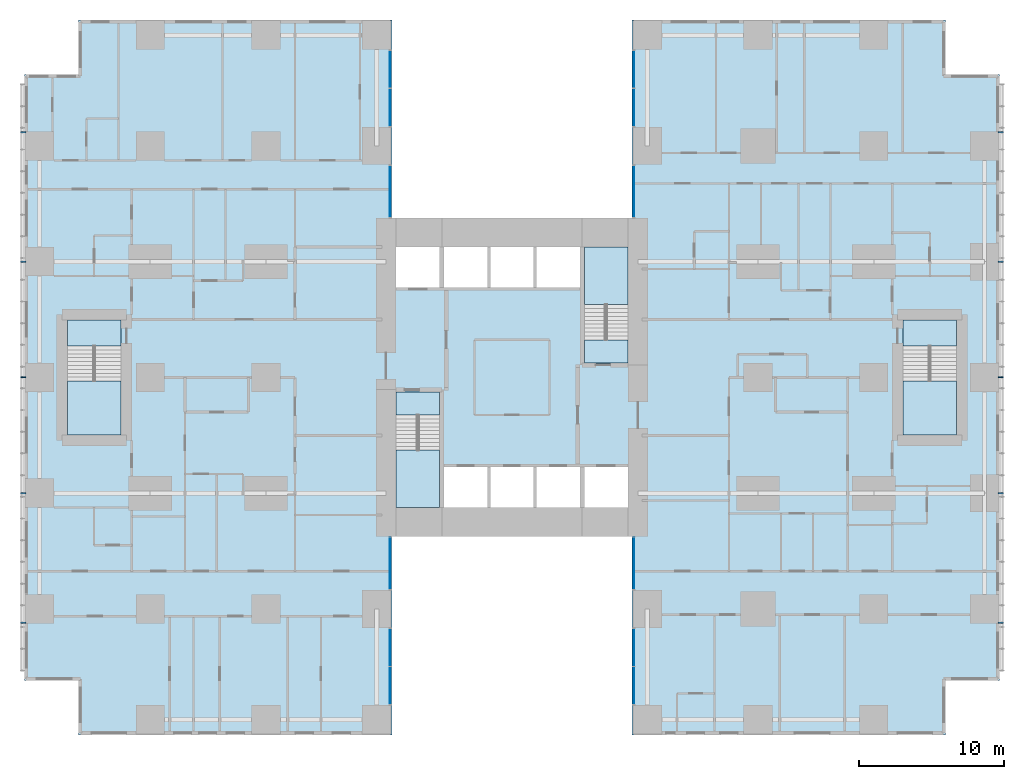
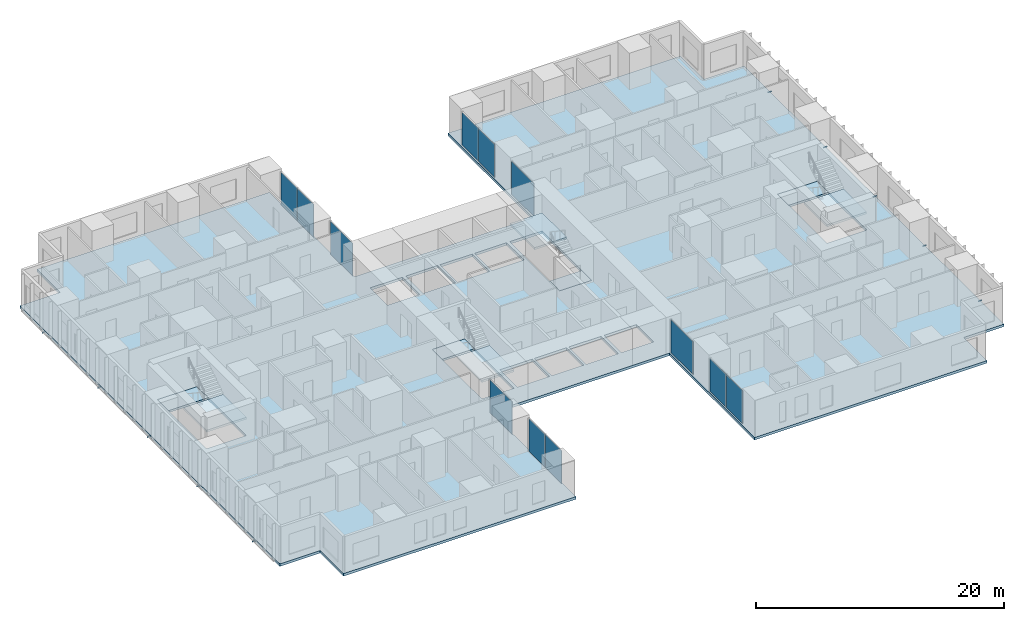
# One storey, part 7 of 20: 12 plates, 10 members, 9 slabs, 12 elements without a shape of their own.
"""IFC4 building model written with IfcOpenShell, lengths in metres."""

import ifcopenshell
import ifcopenshell.guid

model = None  # the IFC model being written
_history = None  # IfcOwnerHistory: only IFC2X3 demands one
_inside = {}  # id of a spatial element -> (the spatial element, [elements in it])
_under = {}  # id of a project, library or spatial element -> (it, [spatial elements below it])
_declared = {}  # id of a project -> (the project, [libraries it declares])
_typed = {}  # id of a type object -> (the type object, [elements of that type])
_made_of = {}  # id of a material, layer set ... -> (it, [elements and type objects made of it])


def new_model(schema):
    """Start an empty IFC model of exactly this schema.

    Asked for "IFC4X3", IfcOpenShell would pick the latest addendum, in which some entities
    have other attributes; the version numbers below select the first issue.
    IFC2X3 requires an IfcOwnerHistory on every rooted entity: one is made here for all.
    """
    global model, _history
    if schema == "IFC4X3":
        model = ifcopenshell.file(schema_version=(4, 3, 0, 0))
    else:
        model = ifcopenshell.file(schema=schema)
    _inside.clear()
    _under.clear()
    _declared.clear()
    _typed.clear()
    _made_of.clear()
    _history = None
    if model.schema == "IFC2X3":
        org = make("IfcOrganization", Name="unknown")
        user = make(
            "IfcPersonAndOrganization",
            ThePerson=make("IfcPerson", FamilyName="unknown"),
            TheOrganization=org,
        )
        app = make(
            "IfcApplication",
            ApplicationDeveloper=org,
            Version="unknown",
            ApplicationFullName="unknown",
            ApplicationIdentifier="unknown",
        )
        _history = make(
            "IfcOwnerHistory",
            OwningUser=user,
            OwningApplication=app,
            ChangeAction="ADDED",
            CreationDate=0,
        )
    return model


def make(cls, **values):
    """One entity of the class cls with the attributes given. An attribute that is None is left unset."""
    return model.create_entity(
        cls, **{name: value for name, value in values.items() if value is not None}
    )


def rooted(cls, **values):
    """An entity with a GlobalId (a new one), such as an element, a storey or a relation."""
    return make(cls, GlobalId=ifcopenshell.guid.new(), OwnerHistory=_history, **values)


def si_unit(unit_type, name, prefix=None):
    """IfcSIUnit, for example si_unit("LENGTHUNIT", "METRE", prefix="MILLI")."""
    return make("IfcSIUnit", UnitType=unit_type, Prefix=prefix, Name=name)


def assignment(units):
    """IfcUnitAssignment: the units of a project."""
    return None if units is None else make("IfcUnitAssignment", Units=units)


def point(xyz):
    """IfcCartesianPoint."""
    return None if xyz is None else make("IfcCartesianPoint", Coordinates=xyz)


def direction(xyz):
    """IfcDirection."""
    return None if xyz is None else make("IfcDirection", DirectionRatios=xyz)


def frame(location, z_axis=None, x_axis=None):
    """IfcAxis2Placement3D, a coordinate frame: its origin and axes. An axis left out is left unset."""
    return make(
        "IfcAxis2Placement3D",
        Location=point(location),
        Axis=direction(z_axis),
        RefDirection=direction(x_axis),
    )


def frame_2d(location, x_axis=None):
    """IfcAxis2Placement2D, a coordinate frame in the plane: its origin and x axis."""
    return make(
        "IfcAxis2Placement2D", Location=point(location), RefDirection=direction(x_axis)
    )


def origin():
    """The frame at (0, 0, 0) with its axes left unset."""
    return frame((0.0, 0.0, 0.0))


def origin_2d():
    """The frame at (0, 0) in the plane with its x axis left unset."""
    return frame_2d((0.0, 0.0))


def place(relative_to, where):
    """IfcLocalPlacement: puts the frame where relative to a parent placement (None: the world)."""
    return make(
        "IfcLocalPlacement", PlacementRelTo=relative_to, RelativePlacement=where
    )


def context(
    kind, dimensions, precision=None, world=None, true_north=None, identifier=None
):
    """IfcGeometricRepresentationContext, for example the 3D "Model" context."""
    return make(
        "IfcGeometricRepresentationContext",
        ContextIdentifier=identifier,
        ContextType=kind,
        CoordinateSpaceDimension=dimensions,
        Precision=precision,
        WorldCoordinateSystem=world,
        TrueNorth=true_north,
    )


def subcontext(parent, identifier, kind, view, scale=None):
    """IfcGeometricRepresentationSubContext, for example "Body" below "Model"."""
    return make(
        "IfcGeometricRepresentationSubContext",
        ContextIdentifier=identifier,
        ContextType=kind,
        ParentContext=parent,
        TargetScale=scale,
        TargetView=view,
    )


def project(units=None, contexts=None):
    """IfcProject with its units and contexts."""
    return rooted(
        "IfcProject",
        Name="project",
        RepresentationContexts=contexts,
        UnitsInContext=assignment(units),
    )


def spatial(cls, under=None, at=None, **own):
    """A site, building, storey or space (cls), placed at a placement, below another one or the project."""
    s = rooted(cls, ObjectPlacement=at, **own)
    if under is not None:
        _under.setdefault(under.id(), (under, []))[1].append(s)
    return s


def polyline(points):
    """IfcPolyline through the points."""
    return make("IfcPolyline", Points=[point(p) for p in points])


def profile(cls, at=None, kind="AREA", **sizes):
    """A parametric profile (cls). Its sizes go by their IFC names, for example OverallWidth=200.0."""
    return make(cls, ProfileType=kind, Position=at, **sizes)


def rectangle(**sizes):
    """IfcRectangleProfileDef."""
    return profile("IfcRectangleProfileDef", **sizes)


def hollow_rectangle(**sizes):
    """IfcRectangleHollowProfileDef."""
    return profile("IfcRectangleHollowProfileDef", **sizes)


def outline(outer, holes=None, kind="AREA"):
    """IfcArbitraryClosedProfileDef: a profile drawn as a closed curve; with holes, ...WithVoids."""
    if holes is None:
        return make("IfcArbitraryClosedProfileDef", ProfileType=kind, OuterCurve=outer)
    return make(
        "IfcArbitraryProfileDefWithVoids",
        ProfileType=kind,
        OuterCurve=outer,
        InnerCurves=holes,
    )


def extrude(swept, where, along, depth):
    """IfcExtrudedAreaSolid: the profile swept, set in the frame where, extruded along a direction by depth."""
    return make(
        "IfcExtrudedAreaSolid",
        SweptArea=swept,
        Position=where,
        ExtrudedDirection=direction(along),
        Depth=depth,
    )


def shape(context_of_items, identifier, shape_type, items):
    """IfcShapeRepresentation: the items that make up one representation, for example the "Body"."""
    return make(
        "IfcShapeRepresentation",
        ContextOfItems=context_of_items,
        RepresentationIdentifier=identifier,
        RepresentationType=shape_type,
        Items=items,
    )


def material(Name=None, Category=None):
    """IfcMaterial."""
    return make("IfcMaterial", Name=Name, Category=Category)


def layer(
    of_material, thickness, ventilated=None, Name=None, Category=None, Priority=None
):
    """IfcMaterialLayer: one layer of a wall or slab, of a material (None: an air gap)."""
    return make(
        "IfcMaterialLayer",
        Material=of_material,
        LayerThickness=thickness,
        IsVentilated=ventilated,
        Name=Name,
        Category=Category,
        Priority=Priority,
    )


def layer_set(layers, Name=None):
    """IfcMaterialLayerSet."""
    return make("IfcMaterialLayerSet", MaterialLayers=layers, LayerSetName=Name)


def material_profile(
    of_material, cross_section, Name=None, Category=None, Priority=None
):
    """IfcMaterialProfile: a cross section and its material."""
    return make(
        "IfcMaterialProfile",
        Name=Name,
        Material=of_material,
        Profile=cross_section,
        Priority=Priority,
        Category=Category,
    )


def profile_set(profiles, Name=None, composite=None):
    """IfcMaterialProfileSet."""
    return make(
        "IfcMaterialProfileSet",
        Name=Name,
        MaterialProfiles=profiles,
        CompositeProfile=composite,
    )


def made_of(thing, what):
    """Note that an element or type object is made of a material, layer set ...; save() writes the relation."""
    if what is not None:
        _made_of.setdefault(what.id(), (what, []))[1].append(thing)
    return thing


def type_object(cls, material=None, **own):
    """A type object (cls), such as IfcWallType, which elements share."""
    return made_of(rooted(cls, **own), material)


def element(
    cls,
    number,
    at=None,
    inside=None,
    cuts=None,
    type_object=None,
    material=None,
    context=None,
    identifier="Body",
    shape_type=None,
    held_by="IfcProductDefinitionShape",
    body=None,
    shapes=None,
    **own,
):
    """One element of the class cls, such as IfcWall. Its Tag is "e" and its number.

    at: its placement. inside: the storey or other place that contains it. cuts: it is an
    opening in that element (IfcRelVoidsElement). A single representation is given by context,
    identifier, shape_type and body (its items); several are given by shapes. held_by: the class
    of the entity that holds the representations. save() writes the other relations.
    """
    e = rooted(cls, Tag="e%d" % number, ObjectPlacement=at, **own)
    if body is not None:
        shapes = [shape(context, identifier, shape_type, body)]
    if shapes is not None:
        e.Representation = make(held_by, Representations=shapes)
    if inside is not None:
        _inside.setdefault(inside.id(), (inside, []))[1].append(e)
    if cuts is not None:
        rooted(
            "IfcRelVoidsElement", RelatingBuildingElement=cuts, RelatedOpeningElement=e
        )
    if type_object is not None:
        _typed.setdefault(type_object.id(), (type_object, []))[1].append(e)
    return made_of(e, material)


def aggregate(whole, parts):
    """IfcRelAggregates: a whole, such as a stair, and the parts it consists of."""
    return rooted("IfcRelAggregates", RelatingObject=whole, RelatedObjects=parts)


def save(model, path):
    """Write the relations noted so far, then the file.

    IfcRelAggregates (storeys below a building ...), IfcRelContainedInSpatialStructure (elements
    in a storey), IfcRelDefinesByType, IfcRelAssociatesMaterial and IfcRelDeclares: one each for
    every whole, place, type object, material and project.
    """
    for whole, parts in _under.values():
        aggregate(whole, parts)
    for where, things in _inside.values():
        rooted(
            "IfcRelContainedInSpatialStructure",
            RelatedElements=things,
            RelatingStructure=where,
        )
    for kind, things in _typed.values():
        rooted("IfcRelDefinesByType", RelatedObjects=things, RelatingType=kind)
    for what, things in _made_of.values():
        rooted("IfcRelAssociatesMaterial", RelatedObjects=things, RelatingMaterial=what)
    for by, libraries in _declared.values():
        rooted("IfcRelDeclares", RelatingContext=by, RelatedDefinitions=libraries)
    model.write(path)


model = new_model("IFC4")

# Units and contexts
model_context = context("Model", 3, precision=1e-05, world=origin(), true_north=direction((0.0, 1.0)))
body_context = subcontext(model_context, "Body", "Model", "MODEL_VIEW")
ifc_project = project(units=[si_unit("LENGTHUNIT", "METRE"), si_unit("AREAUNIT", "SQUARE_METRE"), si_unit("VOLUMEUNIT", "CUBIC_METRE"), si_unit("PLANEANGLEUNIT", "RADIAN"), si_unit("MASSUNIT", "GRAM", prefix="KILO")], contexts=[model_context])

# Site, building, storey
site_placement = place(None, origin())
site = spatial("IfcSite", under=ifc_project, at=site_placement, CompositionType="ELEMENT")
building_placement = place(site_placement, origin())
building = spatial("IfcBuilding", under=site, at=building_placement, Name="Cleftline Residences", CompositionType="ELEMENT")
storey_placement = place(building_placement, frame((0.0, 0.0, 33.199951171875)))
storey = spatial("IfcBuildingStorey", under=building, at=storey_placement, Name="L07", CompositionType="ELEMENT", Elevation=33.199951171875)

# Members
ifc_material_1 = material(Name="Steel S355, hot-dip galvanised", Category="steel")
ifc_material_profile = material_profile(ifc_material_1, hollow_rectangle(XDim=0.10009765625, YDim=0.10009765625, WallThickness=0.008056640625, InnerFilletRadius=0.008056640625, OuterFilletRadius=0.011962890625, at=origin_2d()))
ifc_profile_set = profile_set([ifc_material_profile], Name="Steel S355, hot-dip galvanised")
member_type = type_object("IfcMemberType", Name="BAGUETTE BRACKET SHS 100X100X8", PredefinedType="USERDEFINED", material=ifc_profile_set)
for number, where, z_axis, x_axis, name in (
    (1, (66.60009765625, 7.050048828125, -0.14990234375), (1.0, 0.0, 0.0), (0.0, 1.0, 0.0), "Baguette bracket"),
    (2, (66.60009765625, 16.0, -0.14990234375), (1.0, 0.0, 0.0), (0.0, 1.0, 0.0), "Baguette bracket"),
    (3, (66.60009765625, 24.0, -0.14990234375), (1.0, 0.0, 0.0), (0.0, 1.0, 0.0), "Baguette bracket"),
    (4, (66.60009765625, 32.0, -0.14990234375), (1.0, 0.0, 0.0), (0.0, 1.0, 0.0), "Baguette bracket"),
    (5, (66.60009765625, 40.949951171875, -0.14990234375), (1.0, 0.0, 0.0), (0.0, 1.0, 0.0), "Baguette bracket"),
    (6, (-0.60009765625, 40.949951171875, -0.14990234375), (-1.0, 0.0, 0.0), (0.0, -1.0, 0.0), "Baguette bracket"),
    (7, (-0.60009765625, 32.0, -0.14990234375), (-1.0, 0.0, 0.0), (0.0, -1.0, 0.0), "Baguette bracket"),
    (8, (-0.60009765625, 24.0, -0.14990234375), (-1.0, 0.0, 0.0), (0.0, -1.0, 0.0), "Baguette bracket"),
    (9, (-0.60009765625, 16.0, -0.14990234375), (-1.0, 0.0, 0.0), (0.0, -1.0, 0.0), "Baguette bracket"),
    (10, (-0.60009765625, 7.050048828125, -0.14990234375), (-1.0, 0.0, 0.0), (0.0, -1.0, 0.0), "Baguette bracket"),
):
    element("IfcMember", number, at=place(storey_placement, frame(where, z_axis=z_axis, x_axis=x_axis)), inside=storey, type_object=member_type, Name=name, ObjectType="BAGUETTE BRACKET", PredefinedType="USERDEFINED", context=body_context, shape_type="SweptSolid", body=[
        extrude(hollow_rectangle(XDim=0.10009765625, YDim=0.10009765625, WallThickness=0.008056640625, InnerFilletRadius=0.008056640625, OuterFilletRadius=0.011962890625, at=origin_2d()), origin(), (0.0, 0.0, 1.0), 0.349853515625),
    ])

# Curtain wall, plates
ifc_material_2 = material(Name="Aluminium framed curtain wall", Category="aluminium")
ifc_layer_1 = layer(ifc_material_2, 0.199951171875)
ifc_layer_set_1 = layer_set([ifc_layer_1], Name="CW1 CLEFT GLAZING")
curtain_wall_type = type_object("IfcCurtainWallType", Name="CW1 CLEFT GLAZING", PredefinedType="NOTDEFINED", material=ifc_layer_set_1)
curtain_wall_1_placement = place(storey_placement, origin())
curtain_wall_1 = element("IfcCurtainWall", 11, at=curtain_wall_1_placement, inside=storey, type_object=curtain_wall_type, Name="Curtain wall CW1", PredefinedType="NOTDEFINED")
ifc_material_3 = material(Name="Laminated clear glass", Category="glass")
ifc_layer_2 = layer(ifc_material_3, 0.028076171875)
ifc_layer_set_2 = layer_set([ifc_layer_2], Name="CW1 GLASS PANEL")
plate_type = type_object("IfcPlateType", Name="CW1 GLASS PANEL", PredefinedType="CURTAIN_PANEL", material=ifc_layer_set_2)
plate_1_placement = place(storey_placement, frame((24.574951171875, 2.702392578125, 0.06005859375), z_axis=(0.0, 0.0, 1.0), x_axis=(0.0, 1.0, 0.0)))
plate_1 = element("IfcPlate", 12, at=plate_1_placement, type_object=plate_type, Name="CW1 panel 1.1", PredefinedType="CURTAIN_PANEL", context=body_context, shape_type="SweptSolid", body=[
    extrude(rectangle(XDim=2.5849609375, YDim=0.028076171875, at=origin_2d()), origin(), (0.0, 0.0, 1.0), 3.22998046875),
])
plate_2_placement = place(storey_placement, frame((24.574951171875, 5.347412109375, 0.06005859375), z_axis=(0.0, 0.0, 1.0), x_axis=(0.0, 1.0, 0.0)))
plate_2 = element("IfcPlate", 13, at=plate_2_placement, type_object=plate_type, Name="CW1 panel 2.1", PredefinedType="CURTAIN_PANEL", context=body_context, shape_type="SweptSolid", body=[
    extrude(rectangle(XDim=2.5849609375, YDim=0.028076171875, at=origin_2d()), origin(), (0.0, 0.0, 1.0), 3.22998046875),
])
aggregate(curtain_wall_1, [plate_1, plate_2])

# Curtain wall, plate
curtain_wall_2_placement = place(storey_placement, origin())
curtain_wall_2 = element("IfcCurtainWall", 14, at=curtain_wall_2_placement, inside=storey, type_object=curtain_wall_type, Name="Curtain wall CW1", PredefinedType="NOTDEFINED")
plate_3_placement = place(storey_placement, frame((24.574951171875, 11.14990234375, 0.06005859375), z_axis=(0.0, 0.0, 1.0), x_axis=(0.0, 1.0, 0.0)))
plate_3 = element("IfcPlate", 15, at=plate_3_placement, type_object=plate_type, Name="CW1 panel 1.1", PredefinedType="CURTAIN_PANEL", context=body_context, shape_type="SweptSolid", body=[
    extrude(rectangle(XDim=3.580078125, YDim=0.028076171875, at=origin_2d()), origin(), (0.0, 0.0, 1.0), 3.22998046875),
])
aggregate(curtain_wall_2, [plate_3])

curtain_wall_3_placement = place(storey_placement, origin())
curtain_wall_3 = element("IfcCurtainWall", 16, at=curtain_wall_3_placement, inside=storey, type_object=curtain_wall_type, Name="Curtain wall CW1", PredefinedType="NOTDEFINED")
plate_4_placement = place(storey_placement, frame((41.425048828125, 11.14990234375, 0.06005859375), z_axis=(0.0, 0.0, 1.0), x_axis=(0.0, -1.0, 0.0)))
plate_4 = element("IfcPlate", 17, at=plate_4_placement, type_object=plate_type, Name="CW1 panel 1.1", PredefinedType="CURTAIN_PANEL", context=body_context, shape_type="SweptSolid", body=[
    extrude(rectangle(XDim=3.580078125, YDim=0.028076171875, at=origin_2d()), origin(), (0.0, 0.0, 1.0), 3.22998046875),
])
aggregate(curtain_wall_3, [plate_4])

# Curtain wall, plates
curtain_wall_4_placement = place(storey_placement, origin())
curtain_wall_4 = element("IfcCurtainWall", 18, at=curtain_wall_4_placement, inside=storey, type_object=curtain_wall_type, Name="Curtain wall CW1", PredefinedType="NOTDEFINED")
plate_5_placement = place(storey_placement, frame((41.425048828125, 5.347412109375, 0.06005859375), z_axis=(0.0, 0.0, 1.0), x_axis=(0.0, -1.0, 0.0)))
plate_5 = element("IfcPlate", 19, at=plate_5_placement, type_object=plate_type, Name="CW1 panel 1.1", PredefinedType="CURTAIN_PANEL", context=body_context, shape_type="SweptSolid", body=[
    extrude(rectangle(XDim=2.5849609375, YDim=0.028076171875, at=origin_2d()), origin(), (0.0, 0.0, 1.0), 3.22998046875),
])
plate_6_placement = place(storey_placement, frame((41.425048828125, 2.702392578125, 0.06005859375), z_axis=(0.0, 0.0, 1.0), x_axis=(0.0, -1.0, 0.0)))
plate_6 = element("IfcPlate", 20, at=plate_6_placement, type_object=plate_type, Name="CW1 panel 2.1", PredefinedType="CURTAIN_PANEL", context=body_context, shape_type="SweptSolid", body=[
    extrude(rectangle(XDim=2.5849609375, YDim=0.028076171875, at=origin_2d()), origin(), (0.0, 0.0, 1.0), 3.22998046875),
])
aggregate(curtain_wall_4, [plate_5, plate_6])

curtain_wall_5_placement = place(storey_placement, origin())
curtain_wall_5 = element("IfcCurtainWall", 21, at=curtain_wall_5_placement, inside=storey, type_object=curtain_wall_type, Name="Curtain wall CW1", PredefinedType="NOTDEFINED")
plate_7_placement = place(storey_placement, frame((41.425048828125, 45.297607421875, 0.06005859375), z_axis=(0.0, 0.0, 1.0), x_axis=(0.0, -1.0, 0.0)))
plate_7 = element("IfcPlate", 22, at=plate_7_placement, type_object=plate_type, Name="CW1 panel 1.1", PredefinedType="CURTAIN_PANEL", context=body_context, shape_type="SweptSolid", body=[
    extrude(rectangle(XDim=2.5849609375, YDim=0.028076171875, at=origin_2d()), origin(), (0.0, 0.0, 1.0), 3.22998046875),
])
plate_8_placement = place(storey_placement, frame((41.425048828125, 42.652587890625, 0.06005859375), z_axis=(0.0, 0.0, 1.0), x_axis=(0.0, -1.0, 0.0)))
plate_8 = element("IfcPlate", 23, at=plate_8_placement, type_object=plate_type, Name="CW1 panel 2.1", PredefinedType="CURTAIN_PANEL", context=body_context, shape_type="SweptSolid", body=[
    extrude(rectangle(XDim=2.5849609375, YDim=0.028076171875, at=origin_2d()), origin(), (0.0, 0.0, 1.0), 3.22998046875),
])
aggregate(curtain_wall_5, [plate_7, plate_8])

# Curtain wall, plate
curtain_wall_6_placement = place(storey_placement, origin())
curtain_wall_6 = element("IfcCurtainWall", 24, at=curtain_wall_6_placement, inside=storey, type_object=curtain_wall_type, Name="Curtain wall CW1", PredefinedType="NOTDEFINED")
plate_9_placement = place(storey_placement, frame((41.425048828125, 36.85009765625, 0.06005859375), z_axis=(0.0, 0.0, 1.0), x_axis=(0.0, -1.0, 0.0)))
plate_9 = element("IfcPlate", 25, at=plate_9_placement, type_object=plate_type, Name="CW1 panel 1.1", PredefinedType="CURTAIN_PANEL", context=body_context, shape_type="SweptSolid", body=[
    extrude(rectangle(XDim=3.580078125, YDim=0.028076171875, at=origin_2d()), origin(), (0.0, 0.0, 1.0), 3.22998046875),
])
aggregate(curtain_wall_6, [plate_9])

curtain_wall_7_placement = place(storey_placement, origin())
curtain_wall_7 = element("IfcCurtainWall", 26, at=curtain_wall_7_placement, inside=storey, type_object=curtain_wall_type, Name="Curtain wall CW1", PredefinedType="NOTDEFINED")
plate_10_placement = place(storey_placement, frame((24.574951171875, 36.85009765625, 0.06005859375), z_axis=(0.0, 0.0, 1.0), x_axis=(0.0, 1.0, 0.0)))
plate_10 = element("IfcPlate", 27, at=plate_10_placement, type_object=plate_type, Name="CW1 panel 1.1", PredefinedType="CURTAIN_PANEL", context=body_context, shape_type="SweptSolid", body=[
    extrude(rectangle(XDim=3.580078125, YDim=0.028076171875, at=origin_2d()), origin(), (0.0, 0.0, 1.0), 3.22998046875),
])
aggregate(curtain_wall_7, [plate_10])

# Curtain wall, plates
curtain_wall_8_placement = place(storey_placement, origin())
curtain_wall_8 = element("IfcCurtainWall", 28, at=curtain_wall_8_placement, inside=storey, type_object=curtain_wall_type, Name="Curtain wall CW1", PredefinedType="NOTDEFINED")
plate_11_placement = place(storey_placement, frame((24.574951171875, 42.652587890625, 0.06005859375), z_axis=(0.0, 0.0, 1.0), x_axis=(0.0, 1.0, 0.0)))
plate_11 = element("IfcPlate", 29, at=plate_11_placement, type_object=plate_type, Name="CW1 panel 1.1", PredefinedType="CURTAIN_PANEL", context=body_context, shape_type="SweptSolid", body=[
    extrude(rectangle(XDim=2.5849609375, YDim=0.028076171875, at=origin_2d()), origin(), (0.0, 0.0, 1.0), 3.22998046875),
])
plate_12_placement = place(storey_placement, frame((24.574951171875, 45.297607421875, 0.06005859375), z_axis=(0.0, 0.0, 1.0), x_axis=(0.0, 1.0, 0.0)))
plate_12 = element("IfcPlate", 30, at=plate_12_placement, type_object=plate_type, Name="CW1 panel 2.1", PredefinedType="CURTAIN_PANEL", context=body_context, shape_type="SweptSolid", body=[
    extrude(rectangle(XDim=2.5849609375, YDim=0.028076171875, at=origin_2d()), origin(), (0.0, 0.0, 1.0), 3.22998046875),
])
aggregate(curtain_wall_8, [plate_11, plate_12])

# Slab
ifc_material_4 = material(Name="Concrete B45", Category="concrete")
ifc_layer_3 = layer(ifc_material_4, 0.25)
ifc_layer_set_3 = layer_set([ifc_layer_3], Name="FLOOR SLAB 250")
slab_type_1 = type_object("IfcSlabType", Name="FLOOR SLAB 250", PredefinedType="FLOOR", material=ifc_layer_set_3)
slab_1_placement = place(storey_placement, frame((0.0, 0.0, -0.25)))
element("IfcSlab", 31, at=slab_1_placement, inside=storey, type_object=slab_type_1, Name="Floor slab L07", PredefinedType="FLOOR", context=body_context, shape_type="SweptSolid", body=[
    extrude(outline(polyline([(24.699951171875, 13.0), (41.300048828125, 13.0), (41.300048828125, -0.699951171875), (62.949951171875, -0.699951171875), (62.949951171875, 3.050048828125), (66.699951171875, 3.050048828125), (66.699951171875, 44.949951171875), (62.949951171875, 44.949951171875), (62.949951171875, 48.699951171875), (41.300048828125, 48.699951171875), (41.300048828125, 35.0), (24.699951171875, 35.0), (24.699951171875, 48.699951171875), (3.050048828125, 48.699951171875), (3.050048828125, 44.949951171875), (-0.699951171875, 44.949951171875), (-0.699951171875, 3.050048828125), (3.050048828125, 3.050048828125), (3.050048828125, -0.699951171875), (24.699951171875, -0.699951171875), (24.699951171875, 13.0)]), holes=[polyline([(28.0, 15.0), (28.0, 23.0), (25.0, 23.0), (25.0, 15.0), (28.0, 15.0)]), polyline([(41.0, 25.0), (41.0, 33.0), (38.0, 33.0), (38.0, 25.0), (41.0, 25.0)]), polyline([(28.0, 30.199951171875), (28.0, 33.0), (25.0, 33.0), (25.0, 30.199951171875), (28.0, 30.199951171875)]), polyline([(41.0, 15.0), (41.0, 17.800048828125), (38.0, 17.800048828125), (38.0, 15.0), (41.0, 15.0)]), polyline([(31.300048828125, 15.0), (31.300048828125, 17.800048828125), (28.300048828125, 17.800048828125), (28.300048828125, 15.0), (31.300048828125, 15.0)]), polyline([(34.5, 15.0), (34.5, 17.800048828125), (31.5, 17.800048828125), (31.5, 15.0), (34.5, 15.0)]), polyline([(37.699951171875, 15.0), (37.699951171875, 17.800048828125), (34.699951171875, 17.800048828125), (34.699951171875, 15.0), (37.699951171875, 15.0)]), polyline([(31.300048828125, 30.199951171875), (31.300048828125, 33.0), (28.300048828125, 33.0), (28.300048828125, 30.199951171875), (31.300048828125, 30.199951171875)]), polyline([(34.5, 30.199951171875), (34.5, 33.0), (31.5, 33.0), (31.5, 30.199951171875), (34.5, 30.199951171875)]), polyline([(37.699951171875, 30.199951171875), (37.699951171875, 33.0), (34.699951171875, 33.0), (34.699951171875, 30.199951171875), (37.699951171875, 30.199951171875)]), polyline([(63.72509765625, 20.02490234375), (63.72509765625, 27.97509765625), (60.02490234375, 27.97509765625), (60.02490234375, 20.02490234375), (63.72509765625, 20.02490234375)]), polyline([(5.97509765625, 20.02490234375), (5.97509765625, 27.97509765625), (2.27490234375, 27.97509765625), (2.27490234375, 20.02490234375), (5.97509765625, 20.02490234375)])]), origin(), (0.0, 0.0, 1.0), 0.25),
])

# Stair, slabs
ifc_material_5 = material(Name="Concrete B45, stone treads", Category="masonry")
stair_type_1 = type_object("IfcStairType", Name="STAIR A 1450 WIDE 180 RISER", PredefinedType="HALF_TURN_STAIR", material=ifc_material_5)
stair_1_placement = place(storey_placement, origin())
stair_1 = element("IfcStair", 32, at=stair_1_placement, inside=storey, type_object=stair_type_1, Name="Stair A L07", PredefinedType="HALF_TURN_STAIR")
ifc_material_6 = material(Name="Concrete B45", Category="concrete")
ifc_layer_4 = layer(ifc_material_6, 0.199951171875)
ifc_layer_set_4 = layer_set([ifc_layer_4], Name="STAIR LANDING 200")
slab_type_2 = type_object("IfcSlabType", Name="STAIR LANDING 200", PredefinedType="LANDING", material=ifc_layer_set_4)
slab_2_placement = place(storey_placement, frame((0.0, 0.0, -0.199951171875)))
slab_2 = element("IfcSlab", 33, at=slab_2_placement, type_object=slab_type_2, Name="ST-A landing 1", PredefinedType="LANDING", context=body_context, shape_type="SweptSolid", body=[
    extrude(outline(polyline([(25.0, 21.39990234375), (28.0, 21.39990234375), (28.0, 23.0), (25.0, 23.0), (25.0, 21.39990234375)])), origin(), (0.0, 0.0, 1.0), 0.199951171875),
])
slab_3_placement = place(storey_placement, frame((0.0, 0.0, 1.60009765625)))
slab_3 = element("IfcSlab", 34, at=slab_3_placement, type_object=slab_type_2, Name="ST-A landing 2", PredefinedType="LANDING", context=body_context, shape_type="SweptSolid", body=[
    extrude(outline(polyline([(25.0, 15.0), (28.0, 15.0), (28.0, 18.969970703125), (25.0, 18.969970703125), (25.0, 15.0)])), origin(), (0.0, 0.0, 1.0), 0.199951171875),
])
aggregate(stair_1, [slab_2, slab_3])

ifc_material_7 = material(Name="Concrete B45, stone treads", Category="masonry")
stair_type_2 = type_object("IfcStairType", Name="STAIR B 1450 WIDE 180 RISER", PredefinedType="HALF_TURN_STAIR", material=ifc_material_7)
stair_2_placement = place(storey_placement, origin())
stair_2 = element("IfcStair", 35, at=stair_2_placement, inside=storey, type_object=stair_type_2, Name="Stair B L07", PredefinedType="HALF_TURN_STAIR")
slab_4_placement = place(storey_placement, frame((0.0, 0.0, -0.199951171875)))
slab_4 = element("IfcSlab", 36, at=slab_4_placement, type_object=slab_type_2, Name="ST-B landing 1", PredefinedType="LANDING", context=body_context, shape_type="SweptSolid", body=[
    extrude(outline(polyline([(38.0, 25.0), (41.0, 25.0), (41.0, 26.60009765625), (38.0, 26.60009765625), (38.0, 25.0)])), origin(), (0.0, 0.0, 1.0), 0.199951171875),
])
slab_5_placement = place(storey_placement, frame((0.0, 0.0, 1.60009765625)))
slab_5 = element("IfcSlab", 37, at=slab_5_placement, type_object=slab_type_2, Name="ST-B landing 2", PredefinedType="LANDING", context=body_context, shape_type="SweptSolid", body=[
    extrude(outline(polyline([(38.0, 29.030029296875), (41.0, 29.030029296875), (41.0, 33.0), (38.0, 33.0), (38.0, 29.030029296875)])), origin(), (0.0, 0.0, 1.0), 0.199951171875),
])
aggregate(stair_2, [slab_4, slab_5])

ifc_material_8 = material(Name="Concrete B45, stone treads", Category="masonry")
stair_type_3 = type_object("IfcStairType", Name="STAIR E 1800 WIDE 180 RISER", PredefinedType="HALF_TURN_STAIR", material=ifc_material_8)
stair_3_placement = place(storey_placement, origin())
stair_3 = element("IfcStair", 38, at=stair_3_placement, inside=storey, type_object=stair_type_3, Name="Stair E L07", PredefinedType="HALF_TURN_STAIR")
slab_6_placement = place(storey_placement, frame((0.0, 0.0, -0.199951171875)))
slab_6 = element("IfcSlab", 39, at=slab_6_placement, type_object=slab_type_2, Name="ST-E landing 1", PredefinedType="LANDING", context=body_context, shape_type="SweptSolid", body=[
    extrude(outline(polyline([(60.02490234375, 26.175048828125), (63.72509765625, 26.175048828125), (63.72509765625, 27.97509765625), (60.02490234375, 27.97509765625), (60.02490234375, 26.175048828125)])), origin(), (0.0, 0.0, 1.0), 0.199951171875),
])
slab_7_placement = place(storey_placement, frame((0.0, 0.0, 1.60009765625)))
slab_7 = element("IfcSlab", 40, at=slab_7_placement, type_object=slab_type_2, Name="ST-E landing 2", PredefinedType="LANDING", context=body_context, shape_type="SweptSolid", body=[
    extrude(outline(polyline([(60.02490234375, 20.02490234375), (63.72509765625, 20.02490234375), (63.72509765625, 23.7451171875), (60.02490234375, 23.7451171875), (60.02490234375, 20.02490234375)])), origin(), (0.0, 0.0, 1.0), 0.199951171875),
])
aggregate(stair_3, [slab_6, slab_7])

ifc_material_9 = material(Name="Concrete B45, stone treads", Category="masonry")
stair_type_4 = type_object("IfcStairType", Name="STAIR W 1800 WIDE 180 RISER", PredefinedType="HALF_TURN_STAIR", material=ifc_material_9)
stair_4_placement = place(storey_placement, origin())
stair_4 = element("IfcStair", 41, at=stair_4_placement, inside=storey, type_object=stair_type_4, Name="Stair W L07", PredefinedType="HALF_TURN_STAIR")
slab_8_placement = place(storey_placement, frame((0.0, 0.0, -0.199951171875)))
slab_8 = element("IfcSlab", 42, at=slab_8_placement, type_object=slab_type_2, Name="ST-W landing 1", PredefinedType="LANDING", context=body_context, shape_type="SweptSolid", body=[
    extrude(outline(polyline([(2.27490234375, 26.175048828125), (5.97509765625, 26.175048828125), (5.97509765625, 27.97509765625), (2.27490234375, 27.97509765625), (2.27490234375, 26.175048828125)])), origin(), (0.0, 0.0, 1.0), 0.199951171875),
])
slab_9_placement = place(storey_placement, frame((0.0, 0.0, 1.60009765625)))
slab_9 = element("IfcSlab", 43, at=slab_9_placement, type_object=slab_type_2, Name="ST-W landing 2", PredefinedType="LANDING", context=body_context, shape_type="SweptSolid", body=[
    extrude(outline(polyline([(2.27490234375, 20.02490234375), (5.97509765625, 20.02490234375), (5.97509765625, 23.7451171875), (2.27490234375, 23.7451171875), (2.27490234375, 20.02490234375)])), origin(), (0.0, 0.0, 1.0), 0.199951171875),
])
aggregate(stair_4, [slab_8, slab_9])

save(model, "model.ifc")
